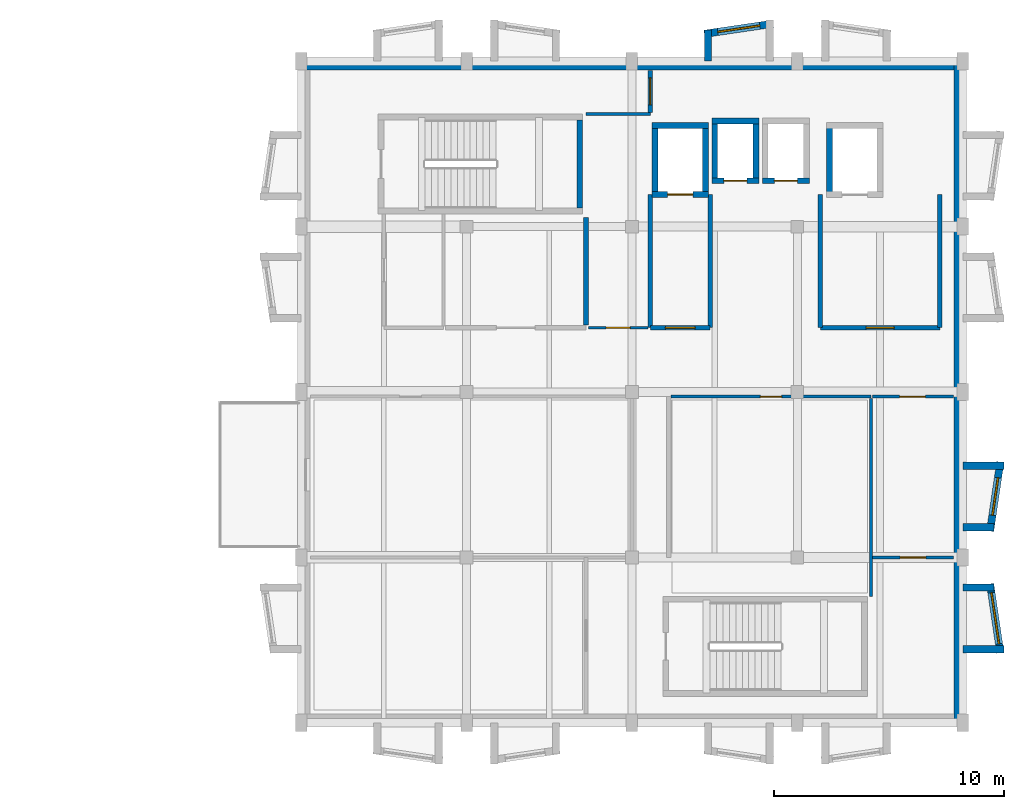
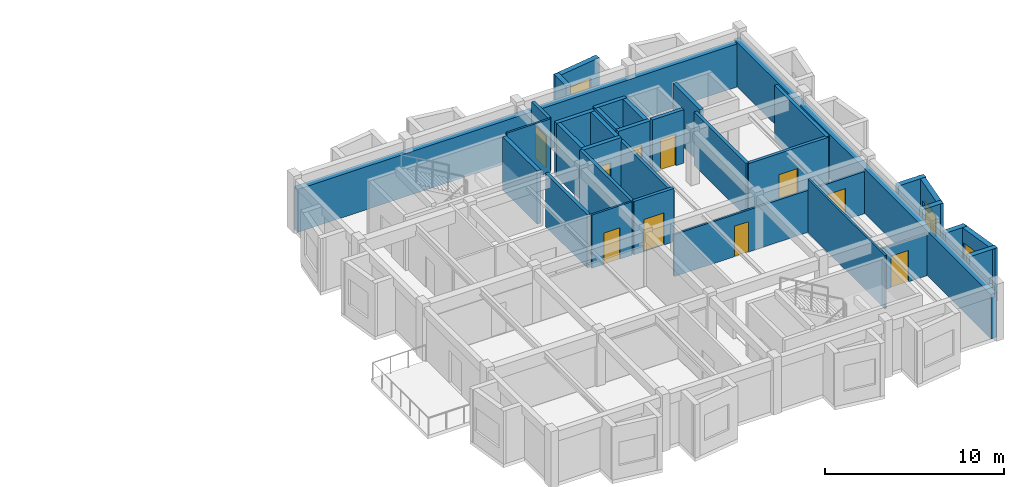
# One storey, part 4 of 7: 35 walls, 10 doors, 3 windows, 13 openings.
"""IFC4 building model written with IfcOpenShell, lengths in metres."""

from ifc_helpers import new_model, si_unit, direction, frame, frame_2d, origin, place, context, subcontext, project, spatial, rectangle, extrude, material, layer, layer_set, type_object, element, fill, save


model = new_model("IFC4")

# Units and contexts
model_context = context("Model", 3, precision=1e-05, world=origin(), true_north=direction((0.0, 1.0)))
body_context = subcontext(model_context, "Body", "Model", "MODEL_VIEW")
ifc_project = project(units=[si_unit("LENGTHUNIT", "METRE"), si_unit("AREAUNIT", "SQUARE_METRE"), si_unit("VOLUMEUNIT", "CUBIC_METRE"), si_unit("PLANEANGLEUNIT", "RADIAN"), si_unit("MASSUNIT", "GRAM", prefix="KILO")], contexts=[model_context])

# Site, building, storey
site_placement = place(None, origin())
site = spatial("IfcSite", under=ifc_project, at=site_placement, CompositionType="ELEMENT")
building_placement = place(site_placement, origin())
building = spatial("IfcBuilding", under=site, at=building_placement, Name="Bramveld Media Centre", CompositionType="ELEMENT")
storey_placement = place(building_placement, frame((0.0, 0.0, 25.800048828125)))
storey = spatial("IfcBuildingStorey", under=building, at=storey_placement, Name="L06", CompositionType="ELEMENT", Elevation=25.800048828125)

# Wall
ifc_material_1 = material(Name="Concrete C40/50 stair & lift core wall", Category="concrete")
ifc_layer_1 = layer(ifc_material_1, 0.25)
ifc_layer_set_1 = layer_set([ifc_layer_1], Name="Concrete C40/50 stair & lift core wall")
wall_type_1 = type_object("IfcWallType", Name="CWALL-SHEAR-250", PredefinedType="SHEAR", material=ifc_layer_set_1)
wall_1_placement = place(storey_placement, frame((143.324951171875, 105.60009765625, 0.0), z_axis=(0.0, 0.0, 1.0), x_axis=(0.0, 1.0, 0.0)))
element("IfcWall", 1, at=wall_1_placement, inside=storey, type_object=wall_type_1, Name="ST-01 L06 stair core shear wall E", PredefinedType="SHEAR", context=body_context, shape_type="SweptSolid", body=[
    extrude(rectangle(XDim=3.849853515625, YDim=0.25, at=frame_2d((1.9248046875, 0.0))), origin(), (0.0, 0.0, 1.0), 3.64990234375),
])

# Wall, opening, door
wall_2_placement = place(storey_placement, frame((146.47509765625, 106.199951171875, 0.0), z_axis=(0.0, 0.0, 1.0), x_axis=(1.0, 0.0, 0.0)))
wall_2 = element("IfcWall", 2, at=wall_2_placement, inside=storey, type_object=wall_type_1, Name="FL-01 L06 lift shaft wall S", PredefinedType="SHEAR", context=body_context, shape_type="SweptSolid", body=[
    extrude(rectangle(XDim=2.449951171875, YDim=0.25, at=frame_2d((1.22509765625, 0.0))), origin(), (0.0, 0.0, 1.0), 3.64990234375),
])
opening_1_placement = place(wall_2_placement, frame((0.675048828125, 0.0, 0.0)))
opening_1 = element("IfcOpeningElement", 3, at=opening_1_placement, cuts=wall_2, Name="Opening LD-01-01-L06", PredefinedType="OPENING", context=body_context, shape_type="SweptSolid", body=[
    extrude(rectangle(XDim=1.10009765625, YDim=2.14990234375, at=frame_2d((0.550048828125, 1.074951171875))), frame((0.0, 0.136962890625, 0.0), z_axis=(0.0, -1.0, 0.0), x_axis=(1.0, 0.0, 0.0)), (0.0, 0.0, 1.0), 0.27392578125),
])
ifc_material_2 = material(Name="Brushed stainless steel automatic fire-rated sliding lift landing door", Category="steel")
door_type_1 = type_object("IfcDoorType", Name="LD-TYPE-01", OperationType="SLIDING_TO_LEFT", PredefinedType="DOOR", material=ifc_material_2)
door_1_placement = place(opening_1_placement, origin())
door_1 = element("IfcDoor", 4, at=door_1_placement, inside=storey, type_object=door_type_1, Name="FL-01 L06 sliding lift landing door", OperationType="SLIDING_TO_LEFT", OverallHeight=2.14990234375, OverallWidth=1.10009765625, PredefinedType="DOOR", context=body_context, shape_type="SweptSolid", body=[
    extrude(rectangle(XDim=1.10009765625, YDim=2.14990234375, at=frame_2d((0.550048828125, 1.074951171875))), frame((0.0, 0.02490234375, 0.0), z_axis=(0.0, -1.0, 0.0), x_axis=(1.0, 0.0, 0.0)), (0.0, 0.0, 1.0), 0.050048828125),
])
fill(opening_1, door_1)

# Walls
wall_3_placement = place(storey_placement, frame((148.925048828125, 109.199951171875, 0.0), z_axis=(0.0, 0.0, 1.0), x_axis=(-1.0, 0.0, 0.0)))
element("IfcWall", 5, at=wall_3_placement, inside=storey, type_object=wall_type_1, Name="FL-01 L06 lift shaft wall N", PredefinedType="SHEAR", context=body_context, shape_type="SweptSolid", body=[
    extrude(rectangle(XDim=2.449951171875, YDim=0.25, at=frame_2d((1.22509765625, 0.0))), origin(), (0.0, 0.0, 1.0), 3.64990234375),
])
for number, where, z_axis, x_axis, name in (
    (6, (146.60009765625, 109.199951171875, 0.0), (0.0, 0.0, 1.0), (0.0, -1.0, 0.0), "FL-01 L06 lift shaft wall W"),
    (7, (148.800048828125, 106.199951171875, 0.0), (0.0, 0.0, 1.0), (0.0, 1.0, 0.0), "FL-01 L06 lift shaft wall E"),
    (8, (154.199951171875, 109.199951171875, 0.0), (0.0, 0.0, 1.0), (0.0, -1.0, 0.0), "FL-02 L06 lift shaft wall W"),
):
    element("IfcWall", number, at=place(storey_placement, frame(where, z_axis=z_axis, x_axis=x_axis)), inside=storey, type_object=wall_type_1, Name=name, PredefinedType="SHEAR", context=body_context, shape_type="SweptSolid", body=[
        extrude(rectangle(XDim=3.0, YDim=0.25, at=frame_2d((1.5, 0.0))), origin(), (0.0, 0.0, 1.0), 3.64990234375),
    ])

# Wall, opening, door
wall_4_placement = place(storey_placement, frame((149.074951171875, 106.800048828125, 0.0), z_axis=(0.0, 0.0, 1.0), x_axis=(1.0, 0.0, 0.0)))
wall_4 = element("IfcWall", 9, at=wall_4_placement, inside=storey, type_object=wall_type_1, Name="PL-01 L06 lift shaft wall S", PredefinedType="SHEAR", context=body_context, shape_type="SweptSolid", body=[
    extrude(rectangle(XDim=2.050048828125, YDim=0.25, at=frame_2d((1.02490234375, 0.0))), origin(), (0.0, 0.0, 1.0), 3.64990234375),
])
opening_2_placement = place(wall_4_placement, frame((0.52490234375, 0.0, 0.0)))
opening_2 = element("IfcOpeningElement", 10, at=opening_2_placement, cuts=wall_4, Name="Opening LD-02-01-L06", PredefinedType="OPENING", context=body_context, shape_type="SweptSolid", body=[
    extrude(rectangle(XDim=1.0, YDim=2.14990234375, at=frame_2d((0.5, 1.074951171875))), frame((0.0, 0.136962890625, 0.0), z_axis=(0.0, -1.0, 0.0), x_axis=(1.0, 0.0, 0.0)), (0.0, 0.0, 1.0), 0.27392578125),
])
ifc_material_3 = material(Name="Brushed stainless steel automatic fire-rated sliding lift landing door", Category="steel")
door_type_2 = type_object("IfcDoorType", Name="LD-TYPE-02", OperationType="SLIDING_TO_LEFT", PredefinedType="DOOR", material=ifc_material_3)
door_2_placement = place(opening_2_placement, origin())
door_2 = element("IfcDoor", 11, at=door_2_placement, inside=storey, type_object=door_type_2, Name="PL-01 L06 sliding lift landing door", OperationType="SLIDING_TO_LEFT", OverallHeight=2.14990234375, OverallWidth=1.0, PredefinedType="DOOR", context=body_context, shape_type="SweptSolid", body=[
    extrude(rectangle(XDim=1.0, YDim=2.14990234375, at=frame_2d((0.5, 1.074951171875))), frame((0.0, 0.02490234375, 0.0), z_axis=(0.0, -1.0, 0.0), x_axis=(1.0, 0.0, 0.0)), (0.0, 0.0, 1.0), 0.050048828125),
])
fill(opening_2, door_2)

# Walls
wall_5_placement = place(storey_placement, frame((151.125, 109.39990234375, 0.0), z_axis=(0.0, 0.0, 1.0), x_axis=(-1.0, 0.0, 0.0)))
element("IfcWall", 12, at=wall_5_placement, inside=storey, type_object=wall_type_1, Name="PL-01 L06 lift shaft wall N", PredefinedType="SHEAR", context=body_context, shape_type="SweptSolid", body=[
    extrude(rectangle(XDim=2.050048828125, YDim=0.25, at=frame_2d((1.02490234375, 0.0))), origin(), (0.0, 0.0, 1.0), 3.64990234375),
])
for number, where, z_axis, x_axis, name in (
    (13, (149.199951171875, 109.39990234375, 0.0), (0.0, 0.0, 1.0), (0.0, -1.0, 0.0), "PL-01 L06 lift shaft wall W"),
    (14, (151.0, 106.800048828125, 0.0), (0.0, 0.0, 1.0), (0.0, 1.0, 0.0), "PL-01 L06 lift shaft wall E"),
):
    element("IfcWall", number, at=place(storey_placement, frame(where, z_axis=z_axis, x_axis=x_axis)), inside=storey, type_object=wall_type_1, Name=name, PredefinedType="SHEAR", context=body_context, shape_type="SweptSolid", body=[
        extrude(rectangle(XDim=2.599853515625, YDim=0.25, at=frame_2d((1.2998046875, 0.0))), origin(), (0.0, 0.0, 1.0), 3.64990234375),
    ])

# Wall, opening, door
wall_6_placement = place(storey_placement, frame((151.27490234375, 106.800048828125, 0.0), z_axis=(0.0, 0.0, 1.0), x_axis=(1.0, 0.0, 0.0)))
wall_6 = element("IfcWall", 15, at=wall_6_placement, inside=storey, type_object=wall_type_1, Name="PL-02 L06 lift shaft wall S", PredefinedType="SHEAR", context=body_context, shape_type="SweptSolid", body=[
    extrude(rectangle(XDim=2.050048828125, YDim=0.25, at=frame_2d((1.02490234375, 0.0))), origin(), (0.0, 0.0, 1.0), 3.64990234375),
])
opening_3_placement = place(wall_6_placement, frame((0.52490234375, 0.0, 0.0)))
opening_3 = element("IfcOpeningElement", 16, at=opening_3_placement, cuts=wall_6, Name="Opening LD-02-02-L06", PredefinedType="OPENING", context=body_context, shape_type="SweptSolid", body=[
    extrude(rectangle(XDim=1.0, YDim=2.14990234375, at=frame_2d((0.5, 1.074951171875))), frame((0.0, 0.136962890625, 0.0), z_axis=(0.0, -1.0, 0.0), x_axis=(1.0, 0.0, 0.0)), (0.0, 0.0, 1.0), 0.27392578125),
])
door_3_placement = place(opening_3_placement, origin())
door_3 = element("IfcDoor", 17, at=door_3_placement, inside=storey, type_object=door_type_2, Name="PL-02 L06 sliding lift landing door", OperationType="SLIDING_TO_LEFT", OverallHeight=2.14990234375, OverallWidth=1.0, PredefinedType="DOOR", context=body_context, shape_type="SweptSolid", body=[
    extrude(rectangle(XDim=1.0, YDim=2.14990234375, at=frame_2d((0.5, 1.074951171875))), frame((0.0, 0.02490234375, 0.0), z_axis=(0.0, -1.0, 0.0), x_axis=(1.0, 0.0, 0.0)), (0.0, 0.0, 1.0), 0.050048828125),
])
fill(opening_3, door_3)

# Walls
ifc_material_4 = material(Name="Flemish red-brown clay facing brick cavity wall with calcium-silicate backing", Category="masonry")
ifc_layer_2 = layer(ifc_material_4, 0.3798828125)
ifc_layer_set_2 = layer_set([ifc_layer_2], Name="Flemish red-brown clay facing brick cavity wall with calcium-silicate backing")
wall_type_2 = type_object("IfcWallType", Name="EW-BRK-380", PredefinedType="SOLIDWALL", material=ifc_layer_set_2)
wall_7_placement = place(storey_placement, frame((159.81005859375, 112.0, 0.0), z_axis=(0.0, 0.0, 1.0), x_axis=(0.0, -1.0, 0.0)))
element("IfcWall", 18, at=wall_7_placement, inside=storey, type_object=wall_type_2, Name="V7 L06 E facing brick exterior wall", PredefinedType="SOLIDWALL", context=body_context, shape_type="SweptSolid", body=[
    extrude(rectangle(XDim=28.800048828125, YDim=0.3798828125, at=frame_2d((14.39990234375, 0.0))), origin(), (0.0, 0.0, 1.0), 3.044921875),
])
wall_8_placement = place(storey_placement, frame((131.199951171875, 111.81005859375, 0.0), z_axis=(0.0, 0.0, 1.0), x_axis=(1.0, 0.0, 0.0)))
element("IfcWall", 19, at=wall_8_placement, inside=storey, type_object=wall_type_2, Name="V7 L06 N facing brick exterior wall", PredefinedType="SOLIDWALL", context=body_context, shape_type="SweptSolid", body=[
    extrude(rectangle(XDim=28.800048828125, YDim=0.3798828125, at=frame_2d((14.39990234375, 0.0))), origin(), (0.0, 0.0, 1.0), 2.945068359375),
])

# Wall, opening, window
ifc_material_5 = material(Name="Precast concrete C40/50 & brick-slip faceted bay cheek wall", Category="masonry")
ifc_layer_3 = layer(ifc_material_5, 0.320068359375)
ifc_layer_set_3 = layer_set([ifc_layer_3], Name="Precast concrete C40/50 & brick-slip faceted bay cheek wall")
wall_type_3 = type_object("IfcWallType", Name="EW-FACET-320", PredefinedType="SOLIDWALL", material=ifc_layer_set_3)
wall_9_placement = place(storey_placement, frame((161.633056640625, 86.25, 0.0), z_axis=(0.0, 0.0, 1.0), x_axis=(-0.146119746268, 0.989266910268, 0.0)))
wall_9 = element("IfcWall", 20, at=wall_9_placement, inside=storey, type_object=wall_type_3, Name="V7 L06 E angled faceted bay front wall 1", PredefinedType="SOLIDWALL", context=body_context, shape_type="SweptSolid", body=[
    extrude(rectangle(XDim=3.032470703125, YDim=0.320068359375, at=frame_2d((1.51611328125, 0.0))), origin(), (0.0, 0.0, 1.0), 3.6298828125),
])
opening_4_placement = place(wall_9_placement, frame((0.391357421875, 0.0, 0.89990234375)))
opening_4 = element("IfcOpeningElement", 21, at=opening_4_placement, cuts=wall_9, Name="Opening W-36", PredefinedType="OPENING", context=body_context, shape_type="SweptSolid", body=[
    extrude(rectangle(XDim=2.25, YDim=1.75, at=frame_2d((1.125, 0.875))), frame((0.0, 0.171875, 0.0), z_axis=(0.0, -1.0, 0.0), x_axis=(1.0, 0.0, 0.0)), (0.0, 0.0, 1.0), 0.343994140625),
])
ifc_material_6 = material(Name="Thermally broken anodized bronze aluminium frame with triple acoustic glazing", Category="aluminium")
window_type_1 = type_object("IfcWindowType", Name="WIN-FAC-36", PartitioningType="SINGLE_PANEL", PredefinedType="WINDOW", material=ifc_material_6)
window_1_placement = place(opening_4_placement, origin())
window_1 = element("IfcWindow", 22, at=window_1_placement, inside=storey, type_object=window_type_1, Name="V7 L06 E faceted bay window 1", OverallHeight=1.75, OverallWidth=2.25, PartitioningType="SINGLE_PANEL", PredefinedType="WINDOW", context=body_context, shape_type="SweptSolid", body=[
    extrude(rectangle(XDim=2.25, YDim=1.75, at=frame_2d((1.125, 0.875))), frame((0.0, 0.030029296875, 0.0), z_axis=(0.0, -1.0, 0.0), x_axis=(1.0, 0.0, 0.0)), (0.0, 0.0, 1.0), 0.06005859375),
])
fill(opening_4, window_1)

# Walls
wall_10_placement = place(storey_placement, frame((160.0, 86.409912109375, 0.0), z_axis=(0.0, 0.0, 1.0), x_axis=(1.0, 0.0, 0.0)))
element("IfcWall", 23, at=wall_10_placement, inside=storey, type_object=wall_type_3, Name="V7 L06 E faceted bay cheek wall", PredefinedType="SOLIDWALL", context=body_context, shape_type="SweptSolid", body=[
    extrude(rectangle(XDim=1.79296875, YDim=0.320068359375, at=frame_2d((0.896484375, 0.0))), origin(), (0.0, 0.0, 1.0), 3.6298828125),
])
wall_11_placement = place(storey_placement, frame((160.0, 89.090087890625, 0.0), z_axis=(0.0, 0.0, 1.0), x_axis=(1.0, 0.0, 0.0)))
element("IfcWall", 24, at=wall_11_placement, inside=storey, type_object=wall_type_3, Name="V7 L06 E faceted bay cheek wall", PredefinedType="SOLIDWALL", context=body_context, shape_type="SweptSolid", body=[
    extrude(rectangle(XDim=1.35009765625, YDim=0.320068359375, at=frame_2d((0.675048828125, 0.0))), origin(), (0.0, 0.0, 1.0), 3.6298828125),
])

# Wall, opening, window
wall_12_placement = place(storey_placement, frame((161.18994140625, 91.550048828125, 0.0), z_axis=(0.0, 0.0, 1.0), x_axis=(0.146119746268, 0.989266910268, 0.0)))
wall_12 = element("IfcWall", 25, at=wall_12_placement, inside=storey, type_object=wall_type_3, Name="V7 L06 E angled faceted bay front wall 2", PredefinedType="SOLIDWALL", context=body_context, shape_type="SweptSolid", body=[
    extrude(rectangle(XDim=3.032470703125, YDim=0.320068359375, at=frame_2d((1.51611328125, 0.0))), origin(), (0.0, 0.0, 1.0), 3.6298828125),
])
opening_5_placement = place(wall_12_placement, frame((0.69140625, 0.0, 0.89990234375)))
opening_5 = element("IfcOpeningElement", 26, at=opening_5_placement, cuts=wall_12, Name="Opening W-25", PredefinedType="OPENING", context=body_context, shape_type="SweptSolid", body=[
    extrude(rectangle(XDim=1.64990234375, YDim=1.449951171875, at=frame_2d((0.824951171875, 0.72509765625))), frame((0.0, 0.171875, 0.0), z_axis=(0.0, -1.0, 0.0), x_axis=(1.0, 0.0, 0.0)), (0.0, 0.0, 1.0), 0.343994140625),
])
ifc_material_7 = material(Name="Thermally broken anodized bronze aluminium frame with triple acoustic glazing", Category="aluminium")
window_type_2 = type_object("IfcWindowType", Name="WIN-FAC-25", PartitioningType="SINGLE_PANEL", PredefinedType="WINDOW", material=ifc_material_7)
window_2_placement = place(opening_5_placement, origin())
window_2 = element("IfcWindow", 27, at=window_2_placement, inside=storey, type_object=window_type_2, Name="V7 L06 E faceted bay window 2", OverallHeight=1.449951171875, OverallWidth=1.64990234375, PartitioningType="SINGLE_PANEL", PredefinedType="WINDOW", context=body_context, shape_type="SweptSolid", body=[
    extrude(rectangle(XDim=1.64990234375, YDim=1.449951171875, at=frame_2d((0.824951171875, 0.72509765625))), frame((0.0, 0.030029296875, 0.0), z_axis=(0.0, -1.0, 0.0), x_axis=(1.0, 0.0, 0.0)), (0.0, 0.0, 1.0), 0.06005859375),
])
fill(opening_5, window_2)

# Walls
wall_13_placement = place(storey_placement, frame((160.0, 91.7099609375, 0.0), z_axis=(0.0, 0.0, 1.0), x_axis=(1.0, 0.0, 0.0)))
element("IfcWall", 28, at=wall_13_placement, inside=storey, type_object=wall_type_3, Name="V7 L06 E faceted bay cheek wall", PredefinedType="SOLIDWALL", context=body_context, shape_type="SweptSolid", body=[
    extrude(rectangle(XDim=1.35009765625, YDim=0.320068359375, at=frame_2d((0.675048828125, 0.0))), origin(), (0.0, 0.0, 1.0), 3.6298828125),
])
wall_14_placement = place(storey_placement, frame((160.0, 94.389892578125, 0.0), z_axis=(0.0, 0.0, 1.0), x_axis=(1.0, 0.0, 0.0)))
element("IfcWall", 29, at=wall_14_placement, inside=storey, type_object=wall_type_3, Name="V7 L06 E faceted bay cheek wall", PredefinedType="SOLIDWALL", context=body_context, shape_type="SweptSolid", body=[
    extrude(rectangle(XDim=1.79296875, YDim=0.320068359375, at=frame_2d((0.896484375, 0.0))), origin(), (0.0, 0.0, 1.0), 3.6298828125),
])

# Wall, opening, window
wall_15_placement = place(storey_placement, frame((151.75, 113.633056640625, 0.0), z_axis=(0.0, 0.0, 1.0), x_axis=(-0.989266910268, -0.146119746268, 0.0)))
wall_15 = element("IfcWall", 30, at=wall_15_placement, inside=storey, type_object=wall_type_3, Name="V7 L06 N angled faceted bay front wall 3", PredefinedType="SOLIDWALL", context=body_context, shape_type="SweptSolid", body=[
    extrude(rectangle(XDim=3.032470703125, YDim=0.320068359375, at=frame_2d((1.51611328125, 0.0))), origin(), (0.0, 0.0, 1.0), 3.6298828125),
])
opening_6_placement = place(wall_15_placement, frame((0.59130859375, 0.0, 0.89990234375)))
opening_6 = element("IfcOpeningElement", 31, at=opening_6_placement, cuts=wall_15, Name="Opening W-30", PredefinedType="OPENING", context=body_context, shape_type="SweptSolid", body=[
    extrude(rectangle(XDim=1.85009765625, YDim=1.60009765625, at=frame_2d((0.925048828125, 0.800048828125))), frame((0.0, 0.171875, 0.0), z_axis=(0.0, -1.0, 0.0), x_axis=(1.0, 0.0, 0.0)), (0.0, 0.0, 1.0), 0.343994140625),
])
ifc_material_8 = material(Name="Thermally broken anodized bronze aluminium frame with triple acoustic glazing", Category="aluminium")
window_type_3 = type_object("IfcWindowType", Name="WIN-FAC-30", PartitioningType="SINGLE_PANEL", PredefinedType="WINDOW", material=ifc_material_8)
window_3_placement = place(opening_6_placement, origin())
window_3 = element("IfcWindow", 32, at=window_3_placement, inside=storey, type_object=window_type_3, Name="V7 L06 N faceted bay window 3", OverallHeight=1.60009765625, OverallWidth=1.85009765625, PartitioningType="SINGLE_PANEL", PredefinedType="WINDOW", context=body_context, shape_type="SweptSolid", body=[
    extrude(rectangle(XDim=1.85009765625, YDim=1.60009765625, at=frame_2d((0.925048828125, 0.800048828125))), frame((0.0, 0.030029296875, 0.0), z_axis=(0.0, -1.0, 0.0), x_axis=(1.0, 0.0, 0.0)), (0.0, 0.0, 1.0), 0.06005859375),
])
fill(opening_6, window_3)

# Wall
wall_16_placement = place(storey_placement, frame((148.909912109375, 112.0, 0.0), z_axis=(0.0, 0.0, 1.0), x_axis=(0.0, 1.0, 0.0)))
element("IfcWall", 33, at=wall_16_placement, inside=storey, type_object=wall_type_3, Name="V7 L06 N faceted bay cheek wall", PredefinedType="SOLIDWALL", context=body_context, shape_type="SweptSolid", body=[
    extrude(rectangle(XDim=1.35009765625, YDim=0.320068359375, at=frame_2d((0.675048828125, 0.0))), origin(), (0.0, 0.0, 1.0), 3.6298828125),
])

# Wall, opening, door
ifc_material_9 = material(Name="Acoustic calcium-silicate & mineral-wool compartment partition", Category="masonry")
ifc_layer_4 = layer(ifc_material_9, 0.199951171875)
ifc_layer_set_4 = layer_set([ifc_layer_4], Name="Acoustic calcium-silicate & mineral-wool compartment partition")
wall_type_4 = type_object("IfcWallType", Name="IW-ACOU-200", PredefinedType="PARTITIONING", material=ifc_layer_set_4)
wall_17_placement = place(storey_placement, frame((146.39990234375, 100.39990234375, 0.0), z_axis=(0.0, 0.0, 1.0), x_axis=(1.0, 0.0, 0.0)))
wall_17 = element("IfcWall", 34, at=wall_17_placement, inside=storey, type_object=wall_type_4, Name="FL-01 L06 EI 120 firefighting lift lobby wall S", PredefinedType="PARTITIONING", context=body_context, shape_type="SweptSolid", body=[
    extrude(rectangle(XDim=2.60009765625, YDim=0.199951171875, at=frame_2d((1.300048828125, 0.0))), origin(), (0.0, 0.0, 1.0), 3.64990234375),
])
opening_7_placement = place(wall_17_placement, frame((0.64990234375, 0.0, 0.0)))
opening_7 = element("IfcOpeningElement", 35, at=opening_7_placement, cuts=wall_17, Name="Opening FD-01-L06", PredefinedType="OPENING", context=body_context, shape_type="SweptSolid", body=[
    extrude(rectangle(XDim=1.300048828125, YDim=2.199951171875, at=frame_2d((0.64990234375, 1.10009765625))), frame((0.0, 0.11181640625, 0.0), z_axis=(0.0, -1.0, 0.0), x_axis=(1.0, 0.0, 0.0)), (0.0, 0.0, 1.0), 0.223876953125),
])
ifc_material_10 = material(Name="Painted galvanized steel acoustic fire door with intumescent smoke seals", Category="steel")
door_type_3 = type_object("IfcDoorType", Name="DR-FFL-1300", OperationType="NOTDEFINED", PredefinedType="DOOR", material=ifc_material_10)
door_4_placement = place(opening_7_placement, origin())
door_4 = element("IfcDoor", 36, at=door_4_placement, inside=storey, type_object=door_type_3, Name="FL-01 L06 firefighting lobby smoke-control door", OperationType="SINGLE_SWING_LEFT", OverallHeight=2.199951171875, OverallWidth=1.300048828125, PredefinedType="DOOR", context=body_context, shape_type="SweptSolid", body=[
    extrude(rectangle(XDim=1.300048828125, YDim=2.199951171875, at=frame_2d((0.64990234375, 1.10009765625))), frame((0.0, 0.02490234375, 0.0), z_axis=(0.0, -1.0, 0.0), x_axis=(1.0, 0.0, 0.0)), (0.0, 0.0, 1.0), 0.050048828125),
])
fill(opening_7, door_4)

# Walls
wall_18_placement = place(storey_placement, frame((146.39990234375, 106.199951171875, 0.0), z_axis=(0.0, 0.0, 1.0), x_axis=(0.0, -1.0, 0.0)))
element("IfcWall", 37, at=wall_18_placement, inside=storey, type_object=wall_type_4, Name="FL-01 L06 EI 120 firefighting lift lobby wall W", PredefinedType="PARTITIONING", context=body_context, shape_type="SweptSolid", body=[
    extrude(rectangle(XDim=5.800048828125, YDim=0.199951171875, at=frame_2d((2.89990234375, 0.0))), origin(), (0.0, 0.0, 1.0), 3.64990234375),
])
wall_19_placement = place(storey_placement, frame((149.0, 100.39990234375, 0.0), z_axis=(0.0, 0.0, 1.0), x_axis=(0.0, 1.0, 0.0)))
element("IfcWall", 38, at=wall_19_placement, inside=storey, type_object=wall_type_4, Name="FL-01 L06 EI 120 firefighting lift lobby wall E", PredefinedType="PARTITIONING", context=body_context, shape_type="SweptSolid", body=[
    extrude(rectangle(XDim=5.800048828125, YDim=0.199951171875, at=frame_2d((2.89990234375, 0.0))), origin(), (0.0, 0.0, 1.0), 3.39501953125),
])

# Wall, opening, door
wall_20_placement = place(storey_placement, frame((153.800048828125, 100.39990234375, 0.0), z_axis=(0.0, 0.0, 1.0), x_axis=(1.0, 0.0, 0.0)))
wall_20 = element("IfcWall", 39, at=wall_20_placement, inside=storey, type_object=wall_type_4, Name="FL-02 L06 EI 120 firefighting lift lobby wall S", PredefinedType="PARTITIONING", context=body_context, shape_type="SweptSolid", body=[
    extrude(rectangle(XDim=5.199951171875, YDim=0.199951171875, at=frame_2d((2.60009765625, 0.0))), origin(), (0.0, 0.0, 1.0), 3.64990234375),
])
opening_8_placement = place(wall_20_placement, frame((1.989990234375, 0.0, 0.0)))
opening_8 = element("IfcOpeningElement", 40, at=opening_8_placement, cuts=wall_20, Name="Opening FD-02-L06", PredefinedType="OPENING", context=body_context, shape_type="SweptSolid", body=[
    extrude(rectangle(XDim=1.219970703125, YDim=2.199951171875, at=frame_2d((0.60986328125, 1.10009765625))), frame((0.0, 0.11181640625, 0.0), z_axis=(0.0, -1.0, 0.0), x_axis=(1.0, 0.0, 0.0)), (0.0, 0.0, 1.0), 0.223876953125),
])
ifc_material_11 = material(Name="Painted galvanized steel acoustic fire door with intumescent smoke seals", Category="steel")
door_type_4 = type_object("IfcDoorType", Name="DR-FFL-1220", OperationType="NOTDEFINED", PredefinedType="DOOR", material=ifc_material_11)
door_5_placement = place(opening_8_placement, origin())
door_5 = element("IfcDoor", 41, at=door_5_placement, inside=storey, type_object=door_type_4, Name="FL-02 L06 firefighting lobby smoke-control door", OperationType="SINGLE_SWING_LEFT", OverallHeight=2.199951171875, OverallWidth=1.219970703125, PredefinedType="DOOR", context=body_context, shape_type="SweptSolid", body=[
    extrude(rectangle(XDim=1.219970703125, YDim=2.199951171875, at=frame_2d((0.60986328125, 1.10009765625))), frame((0.0, 0.02490234375, 0.0), z_axis=(0.0, -1.0, 0.0), x_axis=(1.0, 0.0, 0.0)), (0.0, 0.0, 1.0), 0.050048828125),
])
fill(opening_8, door_5)

# Walls
for number, where, z_axis, x_axis, name in (
    (42, (153.800048828125, 106.199951171875, 0.0), (0.0, 0.0, 1.0), (0.0, -1.0, 0.0), "FL-02 L06 EI 120 firefighting lift lobby wall W"),
    (43, (159.0, 100.39990234375, 0.0), (0.0, 0.0, 1.0), (0.0, 1.0, 0.0), "FL-02 L06 EI 120 firefighting lift lobby wall E"),
):
    element("IfcWall", number, at=place(storey_placement, frame(where, z_axis=z_axis, x_axis=x_axis)), inside=storey, type_object=wall_type_4, Name=name, PredefinedType="PARTITIONING", context=body_context, shape_type="SweptSolid", body=[
        extrude(rectangle(XDim=5.800048828125, YDim=0.199951171875, at=frame_2d((2.89990234375, 0.0))), origin(), (0.0, 0.0, 1.0), 3.64990234375),
    ])
wall_21_placement = place(storey_placement, frame((143.60009765625, 100.510009765625, 0.0), z_axis=(0.0, 0.0, 1.0), x_axis=(0.0, 1.0, 0.0)))
element("IfcWall", 44, at=wall_21_placement, inside=storey, type_object=wall_type_4, Name="Radio Documentary Editing Suite partition wall", PredefinedType="PARTITIONING", context=body_context, shape_type="SweptSolid", body=[
    extrude(rectangle(XDim=4.68994140625, YDim=0.199951171875, at=frame_2d((2.344970703125, 0.0))), origin(), (0.0, 0.0, 1.0), 3.64990234375),
])

# Wall, opening, door
wall_22_placement = place(storey_placement, frame((146.39990234375, 109.7724609375, 0.0), z_axis=(0.0, 0.0, 1.0), x_axis=(0.0, 1.0, 0.0)))
wall_22 = element("IfcWall", 45, at=wall_22_placement, inside=storey, type_object=wall_type_4, Name="North Park Sound Editing Suite partition wall", PredefinedType="PARTITIONING", context=body_context, shape_type="SweptSolid", body=[
    extrude(rectangle(XDim=1.82763671875, YDim=0.199951171875, at=frame_2d((0.913818359375, 0.0))), origin(), (0.0, 0.0, 1.0), 3.64990234375),
])
opening_9_placement = place(wall_22_placement, frame((0.32373046875, 0.0, 0.0)))
opening_9 = element("IfcOpeningElement", 46, at=opening_9_placement, cuts=wall_22, Name="Opening D-06-214", PredefinedType="OPENING", context=body_context, shape_type="SweptSolid", body=[
    extrude(rectangle(XDim=1.179931640625, YDim=2.199951171875, at=frame_2d((0.58984375, 1.10009765625))), frame((0.0, 0.11181640625, 0.0), z_axis=(0.0, -1.0, 0.0), x_axis=(1.0, 0.0, 0.0)), (0.0, 0.0, 1.0), 0.223876953125),
])
ifc_material_12 = material(Name="Fire-rated acoustic timber & steel composite door", Category="steel")
door_type_5 = type_object("IfcDoorType", Name="DR-STU-1180", OperationType="NOTDEFINED", PredefinedType="DOOR", material=ifc_material_12)
door_6_placement = place(opening_9_placement, origin())
door_6 = element("IfcDoor", 47, at=door_6_placement, inside=storey, type_object=door_type_5, Name="North Park Sound Editing Suite entrance door", OperationType="SINGLE_SWING_LEFT", OverallHeight=2.199951171875, OverallWidth=1.179931640625, PredefinedType="DOOR", context=body_context, shape_type="SweptSolid", body=[
    extrude(rectangle(XDim=1.179931640625, YDim=2.199951171875, at=frame_2d((0.58984375, 1.10009765625))), frame((0.0, 0.02490234375, 0.0), z_axis=(0.0, -1.0, 0.0), x_axis=(1.0, 0.0, 0.0)), (0.0, 0.0, 1.0), 0.050048828125),
])
fill(opening_9, door_6)

ifc_material_13 = material(Name="Lightweight acoustic stud partition", Category="gypsum")
ifc_layer_5 = layer(ifc_material_13, 0.125)
ifc_layer_set_5 = layer_set([ifc_layer_5], Name="Lightweight acoustic stud partition")
wall_type_5 = type_object("IfcWallType", Name="IW-PART-125", PredefinedType="PARTITIONING", material=ifc_layer_set_5)
wall_23_placement = place(storey_placement, frame((147.300048828125, 97.39990234375, 0.0), z_axis=(0.0, 0.0, 1.0), x_axis=(1.0, 0.0, 0.0)))
wall_23 = element("IfcWall", 48, at=wall_23_placement, inside=storey, type_object=wall_type_5, Name="Executive Board & Civic Media Forum partition wall", PredefinedType="PARTITIONING", context=body_context, shape_type="SweptSolid", body=[
    extrude(rectangle(XDim=8.699951171875, YDim=0.125, at=frame_2d((4.35009765625, 0.0))), origin(), (0.0, 0.0, 1.0), 2.875),
])
opening_10_placement = place(wall_23_placement, frame((3.889892578125, 0.0, 0.0)))
opening_10 = element("IfcOpeningElement", 49, at=opening_10_placement, cuts=wall_23, Name="Opening D-06-208", PredefinedType="OPENING", context=body_context, shape_type="SweptSolid", body=[
    extrude(rectangle(XDim=0.919921875, YDim=2.080078125, at=frame_2d((0.4599609375, 1.0400390625))), frame((0.0, 0.074462890625, 0.0), z_axis=(0.0, -1.0, 0.0), x_axis=(1.0, 0.0, 0.0)), (0.0, 0.0, 1.0), 0.14892578125),
])
ifc_material_14 = material(Name="Solid-core European oak acoustic timber leaf in steel frame", Category="steel")
door_type_6 = type_object("IfcDoorType", Name="DR-RM-0920", OperationType="NOTDEFINED", PredefinedType="DOOR", material=ifc_material_14)
door_7_placement = place(opening_10_placement, origin())
door_7 = element("IfcDoor", 50, at=door_7_placement, inside=storey, type_object=door_type_6, Name="Executive Board & Civic Media Forum entrance door", OperationType="SINGLE_SWING_RIGHT", OverallHeight=2.080078125, OverallWidth=0.919921875, PredefinedType="DOOR", context=body_context, shape_type="SweptSolid", body=[
    extrude(rectangle(XDim=0.919921875, YDim=2.080078125, at=frame_2d((0.4599609375, 1.0400390625))), frame((0.0, 0.02490234375, 0.0), z_axis=(0.0, -1.0, 0.0), x_axis=(1.0, 0.0, 0.0)), (0.0, 0.0, 1.0), 0.050048828125),
])
fill(opening_10, door_7)

# Wall
wall_24_placement = place(storey_placement, frame((156.0, 88.7099609375, 0.0), z_axis=(0.0, 0.0, 1.0), x_axis=(0.0, 1.0, 0.0)))
element("IfcWall", 51, at=wall_24_placement, inside=storey, type_object=wall_type_5, Name="Executive Board & Civic Media Forum partition wall", PredefinedType="PARTITIONING", context=body_context, shape_type="SweptSolid", body=[
    extrude(rectangle(XDim=8.617431640625, YDim=0.125, at=frame_2d((4.30859375, 0.0))), origin(), (0.0, 0.0, 1.0), 3.64990234375),
])

# Wall, opening, door
wall_25_placement = place(storey_placement, frame((156.072509765625, 90.39990234375, 0.0), z_axis=(0.0, 0.0, 1.0), x_axis=(1.0, 0.0, 0.0)))
wall_25 = element("IfcWall", 52, at=wall_25_placement, inside=storey, type_object=wall_type_5, Name="Media Heritage Seminar Room partition wall", PredefinedType="PARTITIONING", context=body_context, shape_type="SweptSolid", body=[
    extrude(rectangle(XDim=3.527587890625, YDim=0.125, at=frame_2d((1.763671875, 0.0))), origin(), (0.0, 0.0, 1.0), 2.875),
])
opening_11_placement = place(wall_25_placement, frame((1.203857421875, 0.0, 0.0)))
opening_11 = element("IfcOpeningElement", 53, at=opening_11_placement, cuts=wall_25, Name="Opening D-06-211", PredefinedType="OPENING", context=body_context, shape_type="SweptSolid", body=[
    extrude(rectangle(XDim=1.1201171875, YDim=2.14990234375, at=frame_2d((0.56005859375, 1.074951171875))), frame((0.0, 0.074462890625, 0.0), z_axis=(0.0, -1.0, 0.0), x_axis=(1.0, 0.0, 0.0)), (0.0, 0.0, 1.0), 0.14892578125),
])
ifc_material_15 = material(Name="Solid-core European oak acoustic timber leaf in steel frame", Category="steel")
door_type_7 = type_object("IfcDoorType", Name="DR-RM-1120", OperationType="NOTDEFINED", PredefinedType="DOOR", material=ifc_material_15)
door_8_placement = place(opening_11_placement, origin())
door_8 = element("IfcDoor", 54, at=door_8_placement, inside=storey, type_object=door_type_7, Name="Colour Timing & DCP Mastering Studio entrance door", OperationType="SINGLE_SWING_LEFT", OverallHeight=2.14990234375, OverallWidth=1.1201171875, PredefinedType="DOOR", context=body_context, shape_type="SweptSolid", body=[
    extrude(rectangle(XDim=1.1201171875, YDim=2.14990234375, at=frame_2d((0.56005859375, 1.074951171875))), frame((0.0, 0.02490234375, 0.0), z_axis=(0.0, -1.0, 0.0), x_axis=(1.0, 0.0, 0.0)), (0.0, 0.0, 1.0), 0.050048828125),
])
fill(opening_11, door_8)

wall_26_placement = place(storey_placement, frame((156.072509765625, 97.39990234375, 0.0), z_axis=(0.0, 0.0, 1.0), x_axis=(1.0, 0.0, 0.0)))
wall_26 = element("IfcWall", 55, at=wall_26_placement, inside=storey, type_object=wall_type_5, Name="Media Heritage Seminar Room partition wall", PredefinedType="PARTITIONING", context=body_context, shape_type="SweptSolid", body=[
    extrude(rectangle(XDim=3.527587890625, YDim=0.125, at=frame_2d((1.763671875, 0.0))), origin(), (0.0, 0.0, 1.0), 2.875),
])
opening_12_placement = place(wall_26_placement, frame((1.173828125, 0.0, 0.0)))
opening_12 = element("IfcOpeningElement", 56, at=opening_12_placement, cuts=wall_26, Name="Opening D-06-210", PredefinedType="OPENING", context=body_context, shape_type="SweptSolid", body=[
    extrude(rectangle(XDim=1.1201171875, YDim=2.14990234375, at=frame_2d((0.56005859375, 1.074951171875))), frame((0.0, 0.074462890625, 0.0), z_axis=(0.0, -1.0, 0.0), x_axis=(1.0, 0.0, 0.0)), (0.0, 0.0, 1.0), 0.14892578125),
])
door_9_placement = place(opening_12_placement, origin())
door_9 = element("IfcDoor", 57, at=door_9_placement, inside=storey, type_object=door_type_7, Name="Media Heritage Seminar Room entrance door", OperationType="SINGLE_SWING_RIGHT", OverallHeight=2.14990234375, OverallWidth=1.1201171875, PredefinedType="DOOR", context=body_context, shape_type="SweptSolid", body=[
    extrude(rectangle(XDim=1.1201171875, YDim=2.14990234375, at=frame_2d((0.56005859375, 1.074951171875))), frame((0.0, 0.02490234375, 0.0), z_axis=(0.0, -1.0, 0.0), x_axis=(1.0, 0.0, 0.0)), (0.0, 0.0, 1.0), 0.050048828125),
])
fill(opening_12, door_9)

wall_27_placement = place(storey_placement, frame((143.7099609375, 100.39990234375, 0.0), z_axis=(0.0, 0.0, 1.0), x_axis=(1.0, 0.0, 0.0)))
wall_27 = element("IfcWall", 58, at=wall_27_placement, inside=storey, type_object=wall_type_5, Name="Acoustic Mastering Control Booth partition wall", PredefinedType="PARTITIONING", context=body_context, shape_type="SweptSolid", body=[
    extrude(rectangle(XDim=2.580078125, YDim=0.125, at=frame_2d((1.2900390625, 0.0))), origin(), (0.0, 0.0, 1.0), 3.64990234375),
])
opening_13_placement = place(wall_27_placement, frame((0.77001953125, 0.0, 0.0)))
opening_13 = element("IfcOpeningElement", 59, at=opening_13_placement, cuts=wall_27, Name="Opening D-06-213", PredefinedType="OPENING", context=body_context, shape_type="SweptSolid", body=[
    extrude(rectangle(XDim=1.0400390625, YDim=2.14990234375, at=frame_2d((0.52001953125, 1.074951171875))), frame((0.0, 0.074462890625, 0.0), z_axis=(0.0, -1.0, 0.0), x_axis=(1.0, 0.0, 0.0)), (0.0, 0.0, 1.0), 0.14892578125),
])
ifc_material_16 = material(Name="Solid-core European oak acoustic timber leaf in steel frame", Category="steel")
door_type_8 = type_object("IfcDoorType", Name="DR-RM-1040", OperationType="NOTDEFINED", PredefinedType="DOOR", material=ifc_material_16)
door_10_placement = place(opening_13_placement, origin())
door_10 = element("IfcDoor", 60, at=door_10_placement, inside=storey, type_object=door_type_8, Name="Acoustic Mastering Control Booth entrance door", OperationType="SINGLE_SWING_RIGHT", OverallHeight=2.14990234375, OverallWidth=1.0400390625, PredefinedType="DOOR", context=body_context, shape_type="SweptSolid", body=[
    extrude(rectangle(XDim=1.0400390625, YDim=2.14990234375, at=frame_2d((0.52001953125, 1.074951171875))), frame((0.0, 0.02490234375, 0.0), z_axis=(0.0, -1.0, 0.0), x_axis=(1.0, 0.0, 0.0)), (0.0, 0.0, 1.0), 0.050048828125),
])
fill(opening_13, door_10)

# Wall
wall_28_placement = place(storey_placement, frame((143.60009765625, 109.699951171875, 0.0), z_axis=(0.0, 0.0, 1.0), x_axis=(1.0, 0.0, 0.0)))
element("IfcWall", 61, at=wall_28_placement, inside=storey, type_object=wall_type_5, Name="Acoustic Mastering Control Booth partition wall", PredefinedType="PARTITIONING", context=body_context, shape_type="SweptSolid", body=[
    extrude(rectangle(XDim=2.7998046875, YDim=0.125, at=frame_2d((1.39990234375, 0.0))), origin(), (0.0, 0.0, 1.0), 3.64990234375),
])

save(model, "model.ifc")
